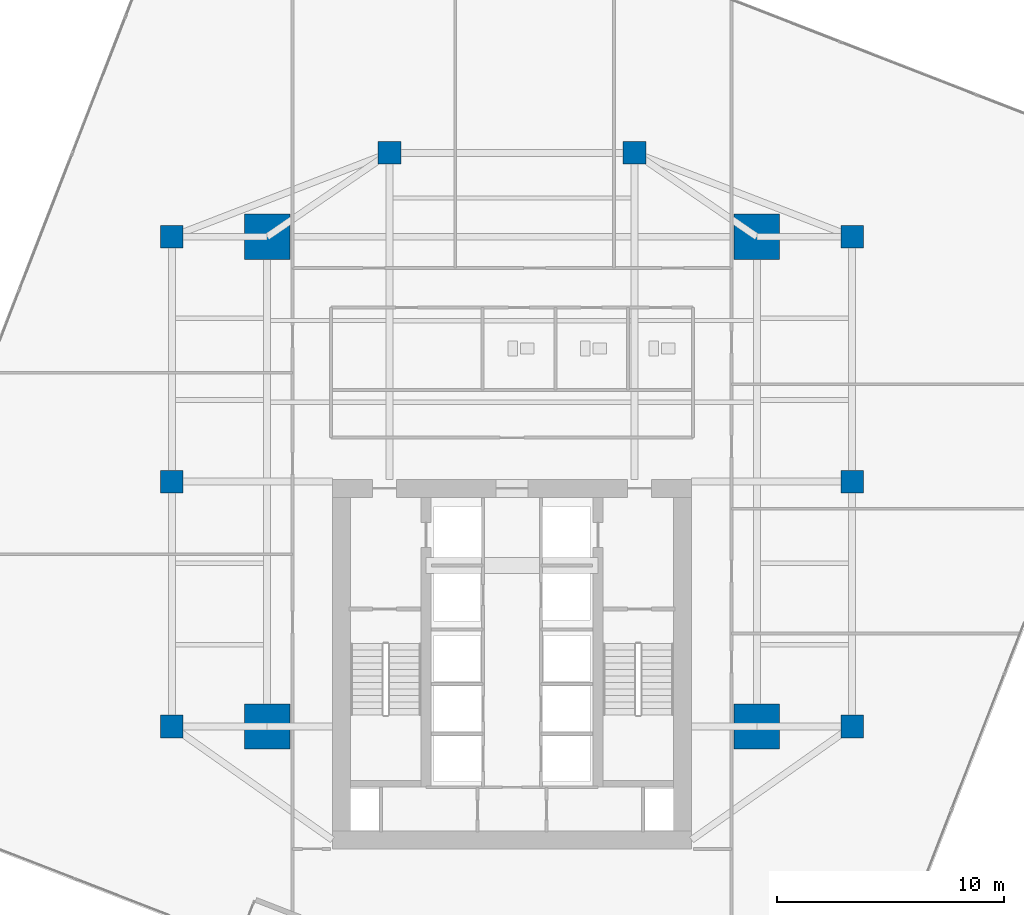
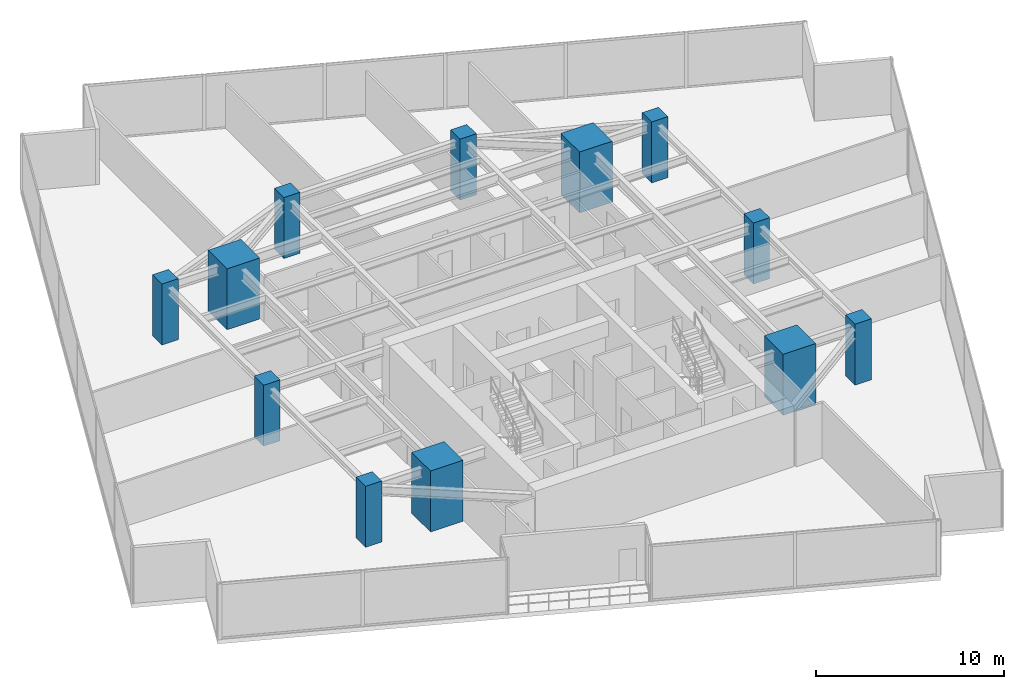
# One storey, part 1 of 26: 12 columns.
"""IFC4 building model written with IfcOpenShell, lengths in metres."""

from ifc_helpers import new_model, si_unit, direction, frame, origin, origin_2d, place, context, subcontext, project, spatial, rectangle, extrude, source, transform, mapped, material, material_profile, profile_set, type_object, type_shapes, element, save


model = new_model("IFC4")

# Units and contexts
model_context = context("Model", 3, precision=1e-05, world=origin(), true_north=direction((0.0, 1.0)))
body_context = subcontext(model_context, "Body", "Model", "MODEL_VIEW")
ifc_project = project(units=[si_unit("LENGTHUNIT", "METRE"), si_unit("AREAUNIT", "SQUARE_METRE"), si_unit("VOLUMEUNIT", "CUBIC_METRE"), si_unit("PLANEANGLEUNIT", "RADIAN"), si_unit("MASSUNIT", "GRAM", prefix="KILO")], contexts=[model_context])

# Site, building, storey
site_placement = place(None, origin())
site = spatial("IfcSite", under=ifc_project, at=site_placement, CompositionType="ELEMENT")
building_placement = place(site_placement, origin())
building = spatial("IfcBuilding", under=site, at=building_placement, Name="Krantzveldt Concourse Tower", CompositionType="ELEMENT")
storey_placement = place(building_placement, frame((0.0, 0.0, 137.449951171875)))
storey = spatial("IfcBuildingStorey", under=building, at=storey_placement, Name="L33", CompositionType="ELEMENT", Elevation=137.449951171875)

# Columns
ifc_material = material(Name="Concrete C60/75", Category="concrete")
ifc_material_profile_1 = material_profile(ifc_material, rectangle(XDim=2.0, YDim=2.0, at=origin_2d()), Name="Concrete C60/75", Category="concrete")
ifc_profile_set_1 = profile_set([ifc_material_profile_1], Name="Concrete C60/75 - RC 2000x2000")
column_type_1 = type_object("IfcColumnType", Name="COL-MC-2000", PredefinedType="USERDEFINED", material=ifc_profile_set_1)
shared_shape_1 = source(origin(), body_context, "Body", "SweptSolid", [
    extrude(rectangle(XDim=2.0, YDim=2.0, at=origin_2d()), origin(), (0.0, 0.0, 1.0), 3.949951171875),
])
type_shapes(column_type_1, [shared_shape_1])
for number, where, z_axis, x_axis, name in (
    (1, (25.199951171875, 15.89990234375, 0.0), (0.0, 0.0, 1.0), (1.0, 0.0, 0.0), "MC-SW-L33"),
    (2, (46.800048828125, 15.89990234375, 0.0), (0.0, 0.0, 1.0), (1.0, 0.0, 0.0), "MC-SE-L33"),
    (3, (46.800048828125, 37.5, 0.0), (0.0, 0.0, 1.0), (1.0, 0.0, 0.0), "MC-NE-L33"),
    (4, (25.199951171875, 37.5, 0.0), (0.0, 0.0, 1.0), (1.0, 0.0, 0.0), "MC-NW-L33"),
):
    element("IfcColumn", number, at=place(storey_placement, frame(where, z_axis=z_axis, x_axis=x_axis)), inside=storey, type_object=column_type_1, Name=name, ObjectType="MEGA COLUMN", PredefinedType="USERDEFINED", context=body_context, shape_type="MappedRepresentation", body=[
        mapped(shared_shape_1, transform((0.0, 0.0, 0.0), x_axis=(1.0, 0.0, 0.0), y_axis=(0.0, 1.0, 0.0), z_axis=(0.0, 0.0, 1.0), scale=1.0)),
    ])
ifc_material_profile_2 = material_profile(ifc_material, rectangle(XDim=1.0, YDim=1.0, at=origin_2d()), Name="Concrete C60/75", Category="concrete")
ifc_profile_set_2 = profile_set([ifc_material_profile_2], Name="Concrete C60/75 - RC 1000x1000")
column_type_2 = type_object("IfcColumnType", Name="COL-C-Z2", PredefinedType="COLUMN", material=ifc_profile_set_2)
shared_shape_2 = source(origin(), body_context, "Body", "SweptSolid", [
    extrude(rectangle(XDim=1.0, YDim=1.0, at=origin_2d()), origin(), (0.0, 0.0, 1.0), 3.949951171875),
])
type_shapes(column_type_2, [shared_shape_2])
for number, where, z_axis, x_axis, name in (
    (5, (21.0, 15.89990234375, 0.0), (0.0, 0.0, 1.0), (1.0, 0.0, 0.0), "PC-R01-L33"),
    (6, (21.0, 26.699951171875, 0.0), (0.0, 0.0, 1.0), (1.0, 0.0, 0.0), "PC-R02-L33"),
    (7, (21.0, 37.5, 0.0), (0.0, 0.0, 1.0), (1.0, 0.0, 0.0), "PC-R03-L33"),
    (8, (30.60009765625, 41.199951171875, 0.0), (0.0, 0.0, 1.0), (1.0, 0.0, 0.0), "PC-R04-L33"),
    (9, (41.39990234375, 41.199951171875, 0.0), (0.0, 0.0, 1.0), (1.0, 0.0, 0.0), "PC-R05-L33"),
    (10, (51.0, 37.5, 0.0), (0.0, 0.0, 1.0), (1.0, 0.0, 0.0), "PC-R06-L33"),
    (11, (51.0, 26.699951171875, 0.0), (0.0, 0.0, 1.0), (1.0, 0.0, 0.0), "PC-R07-L33"),
    (12, (51.0, 15.89990234375, 0.0), (0.0, 0.0, 1.0), (1.0, 0.0, 0.0), "PC-R08-L33"),
):
    element("IfcColumn", number, at=place(storey_placement, frame(where, z_axis=z_axis, x_axis=x_axis)), inside=storey, type_object=column_type_2, Name=name, PredefinedType="COLUMN", context=body_context, shape_type="MappedRepresentation", body=[
        mapped(shared_shape_2, transform((0.0, 0.0, 0.0), x_axis=(1.0, 0.0, 0.0), y_axis=(0.0, 1.0, 0.0), z_axis=(0.0, 0.0, 1.0), scale=1.0)),
    ])

save(model, "model.ifc")
